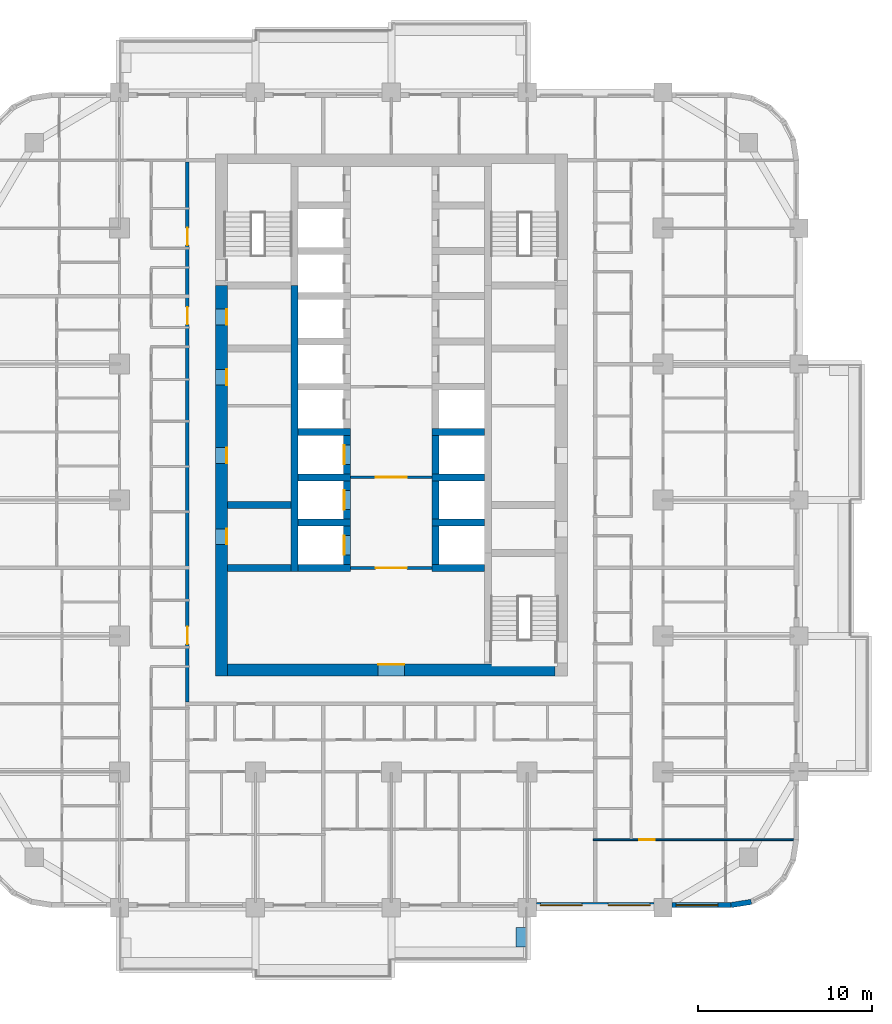
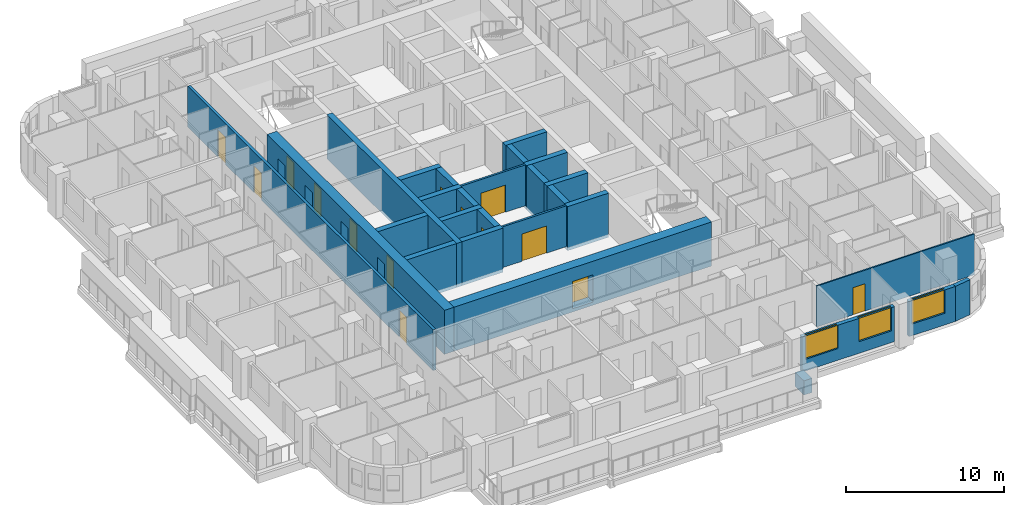
# One storey, part 6 of 17: 27 walls, 14 doors, 3 windows, 17 openings.
"""IFC4 building model written with IfcOpenShell, lengths in metres."""

from ifc_helpers import new_model, si_unit, direction, frame, frame_2d, origin, place, context, subcontext, project, spatial, rectangle, extrude, material, layer, layer_set, type_object, element, fill, save


model = new_model("IFC4")

# Units and contexts
model_context = context("Model", 3, precision=1e-05, world=origin(), true_north=direction((0.0, 1.0)))
body_context = subcontext(model_context, "Body", "Model", "MODEL_VIEW")
ifc_project = project(units=[si_unit("LENGTHUNIT", "METRE"), si_unit("AREAUNIT", "SQUARE_METRE"), si_unit("VOLUMEUNIT", "CUBIC_METRE"), si_unit("PLANEANGLEUNIT", "RADIAN"), si_unit("MASSUNIT", "GRAM", prefix="KILO")], contexts=[model_context])

# Site, building, storey
site_placement = place(None, origin())
site = spatial("IfcSite", under=ifc_project, at=site_placement, CompositionType="ELEMENT")
building_placement = place(site_placement, origin())
building = spatial("IfcBuilding", under=site, at=building_placement, Name="Ludao Terraces", CompositionType="ELEMENT")
storey_placement = place(building_placement, frame((0.0, 0.0, 54.60009765625)))
storey = spatial("IfcBuildingStorey", under=building, at=storey_placement, Name="L14", CompositionType="ELEMENT", Elevation=54.60009765625)

# Wall, openings, doors
ifc_material_1 = material(Name="Concrete C70", Category="concrete")
ifc_layer_1 = layer(ifc_material_1, 0.699951171875)
ifc_layer_set_1 = layer_set([ifc_layer_1], Name="Core wall 700 C70")
wall_type_1 = type_object("IfcWallType", Name="Core wall 700 C70", PredefinedType="SOLIDWALL", material=ifc_layer_set_1)
wall_1_placement = place(storey_placement, frame((75.25, 54.89990234375, -0.25), z_axis=(0.0, 0.0, 1.0), x_axis=(0.0, 1.0, 0.0)))
wall_1 = element("IfcWall", 1, at=wall_1_placement, inside=storey, type_object=wall_type_1, Name="Core wall L14 outer-W", PredefinedType="SOLIDWALL", context=body_context, shape_type="SweptSolid", body=[
    extrude(rectangle(XDim=22.400146484375, YDim=0.699951171875, at=frame_2d((11.2001953125, 0.0))), origin(), (0.0, 0.0, 1.0), 3.39990234375),
])
opening_1_placement = place(wall_1_placement, frame((7.550048828125, 0.0, 0.25)))
opening_1 = element("IfcOpeningElement", 2, at=opening_1_placement, cuts=wall_1, Name="Opening R04-076", PredefinedType="OPENING", context=body_context, shape_type="SweptSolid", body=[
    extrude(rectangle(XDim=0.89990234375, YDim=2.10009765625, at=frame_2d((0.449951171875, 1.050048828125))), frame((0.0, 0.35986328125, 0.0), z_axis=(0.0, -1.0, 0.0), x_axis=(1.0, 0.0, 0.0)), (0.0, 0.0, 1.0), 0.719970703125),
])
opening_2_placement = place(wall_1_placement, frame((12.199951171875, 0.0, 0.25)))
opening_2 = element("IfcOpeningElement", 3, at=opening_2_placement, cuts=wall_1, Name="Opening R04-090", PredefinedType="OPENING", context=body_context, shape_type="SweptSolid", body=[
    extrude(rectangle(XDim=0.89990234375, YDim=2.10009765625, at=frame_2d((0.449951171875, 1.050048828125))), frame((0.0, 0.35986328125, 0.0), z_axis=(0.0, -1.0, 0.0), x_axis=(1.0, 0.0, 0.0)), (0.0, 0.0, 1.0), 0.719970703125),
])
opening_3_placement = place(wall_1_placement, frame((16.699951171875, 0.0, 0.25)))
opening_3 = element("IfcOpeningElement", 4, at=opening_3_placement, cuts=wall_1, Name="Opening R04-107", PredefinedType="OPENING", context=body_context, shape_type="SweptSolid", body=[
    extrude(rectangle(XDim=0.89990234375, YDim=2.10009765625, at=frame_2d((0.449951171875, 1.050048828125))), frame((0.0, 0.35986328125, 0.0), z_axis=(0.0, -1.0, 0.0), x_axis=(1.0, 0.0, 0.0)), (0.0, 0.0, 1.0), 0.719970703125),
])
opening_4_placement = place(wall_1_placement, frame((20.14990234375, 0.0, 0.25)))
opening_4 = element("IfcOpeningElement", 5, at=opening_4_placement, cuts=wall_1, Name="Opening R04-117", PredefinedType="OPENING", context=body_context, shape_type="SweptSolid", body=[
    extrude(rectangle(XDim=0.89990234375, YDim=2.10009765625, at=frame_2d((0.449951171875, 1.050048828125))), frame((0.0, 0.35986328125, 0.0), z_axis=(0.0, -1.0, 0.0), x_axis=(1.0, 0.0, 0.0)), (0.0, 0.0, 1.0), 0.719970703125),
])
ifc_material_2 = material(Name="Steel Q235", Category="steel")
door_type_1 = type_object("IfcDoorType", Name="INT Riser door 900", OperationType="SINGLE_SWING_LEFT", PredefinedType="DOOR", material=ifc_material_2)
door_1_placement = place(opening_1_placement, origin())
door_1 = element("IfcDoor", 6, at=door_1_placement, inside=storey, type_object=door_type_1, Name="DOOR 076", OperationType="SINGLE_SWING_LEFT", OverallHeight=2.10009765625, OverallWidth=0.89990234375, PredefinedType="DOOR", context=body_context, shape_type="SweptSolid", body=[
    extrude(rectangle(XDim=0.89990234375, YDim=2.10009765625, at=frame_2d((0.449951171875, 1.050048828125))), frame((0.0, -0.28515625, 0.0), z_axis=(0.0, -1.0, 0.0), x_axis=(1.0, 0.0, 0.0)), (0.0, 0.0, 1.0), 0.050048828125),
])
fill(opening_1, door_1)
door_2_placement = place(opening_4_placement, origin())
door_2 = element("IfcDoor", 7, at=door_2_placement, inside=storey, type_object=door_type_1, Name="DOOR 117", OperationType="SINGLE_SWING_RIGHT", OverallHeight=2.10009765625, OverallWidth=0.89990234375, PredefinedType="DOOR", context=body_context, shape_type="SweptSolid", body=[
    extrude(rectangle(XDim=0.89990234375, YDim=2.10009765625, at=frame_2d((0.449951171875, 1.050048828125))), frame((0.0, -0.28515625, 0.0), z_axis=(0.0, -1.0, 0.0), x_axis=(1.0, 0.0, 0.0)), (0.0, 0.0, 1.0), 0.050048828125),
])
fill(opening_4, door_2)
ifc_material_3 = material(Name="Timber door leaf", Category="wood")
door_type_2 = type_object("IfcDoorType", Name="INT Room door 900", OperationType="SINGLE_SWING_LEFT", PredefinedType="DOOR", material=ifc_material_3)
door_3_placement = place(opening_2_placement, origin())
door_3 = element("IfcDoor", 8, at=door_3_placement, inside=storey, type_object=door_type_2, Name="DOOR 090", OperationType="SINGLE_SWING_RIGHT", OverallHeight=2.10009765625, OverallWidth=0.89990234375, PredefinedType="DOOR", context=body_context, shape_type="SweptSolid", body=[
    extrude(rectangle(XDim=0.89990234375, YDim=2.10009765625, at=frame_2d((0.449951171875, 1.050048828125))), frame((0.0, -0.28515625, 0.0), z_axis=(0.0, -1.0, 0.0), x_axis=(1.0, 0.0, 0.0)), (0.0, 0.0, 1.0), 0.050048828125),
])
fill(opening_2, door_3)
door_4_placement = place(opening_3_placement, origin())
door_4 = element("IfcDoor", 9, at=door_4_placement, inside=storey, type_object=door_type_2, Name="DOOR 107", OperationType="SINGLE_SWING_LEFT", OverallHeight=2.10009765625, OverallWidth=0.89990234375, PredefinedType="DOOR", context=body_context, shape_type="SweptSolid", body=[
    extrude(rectangle(XDim=0.89990234375, YDim=2.10009765625, at=frame_2d((0.449951171875, 1.050048828125))), frame((0.0, -0.28515625, 0.0), z_axis=(0.0, -1.0, 0.0), x_axis=(1.0, 0.0, 0.0)), (0.0, 0.0, 1.0), 0.050048828125),
])
fill(opening_3, door_4)

# Wall, opening, door
wall_2_placement = place(storey_placement, frame((75.60009765625, 55.25, -0.25), z_axis=(0.0, 0.0, 1.0), x_axis=(1.0, 0.0, 0.0)))
wall_2 = element("IfcWall", 10, at=wall_2_placement, inside=storey, type_object=wall_type_1, Name="Core wall L14 outer-S", PredefinedType="SOLIDWALL", context=body_context, shape_type="SweptSolid", body=[
    extrude(rectangle(XDim=18.7998046875, YDim=0.699951171875, at=frame_2d((9.39990234375, 0.0))), origin(), (0.0, 0.0, 1.0), 3.39990234375),
])
opening_5_placement = place(wall_2_placement, frame((8.64990234375, 0.0, 0.25)))
opening_5 = element("IfcOpeningElement", 11, at=opening_5_placement, cuts=wall_2, Name="Opening R04-055", PredefinedType="OPENING", context=body_context, shape_type="SweptSolid", body=[
    extrude(rectangle(XDim=1.5, YDim=2.10009765625, at=frame_2d((0.75, 1.050048828125))), frame((0.0, 0.35986328125, 0.0), z_axis=(0.0, -1.0, 0.0), x_axis=(1.0, 0.0, 0.0)), (0.0, 0.0, 1.0), 0.719970703125),
])
door_type_3 = type_object("IfcDoorType", Name="INT Lobby door 1500", OperationType="DOUBLE_DOOR_SINGLE_SWING", PredefinedType="DOOR", material=ifc_material_2)
door_5_placement = place(opening_5_placement, origin())
door_5 = element("IfcDoor", 12, at=door_5_placement, inside=storey, type_object=door_type_3, Name="DOOR 055", OperationType="DOUBLE_DOOR_SINGLE_SWING", OverallHeight=2.10009765625, OverallWidth=1.5, PredefinedType="DOOR", context=body_context, shape_type="SweptSolid", body=[
    extrude(rectangle(XDim=1.5, YDim=2.10009765625, at=frame_2d((0.75, 1.050048828125))), frame((0.0, 0.3349609375, 0.0), z_axis=(0.0, -1.0, 0.0), x_axis=(1.0, 0.0, 0.0)), (0.0, 0.0, 1.0), 0.050048828125),
])
fill(opening_5, door_5)

# Wall
ifc_material_4 = material(Name="Concrete C40", Category="concrete")
ifc_layer_2 = layer(ifc_material_4, 0.60009765625)
ifc_layer_set_2 = layer_set([ifc_layer_2], Name="ENV Planter trough 600")
wall_type_2 = type_object("IfcWallType", Name="ENV Planter trough 600", PredefinedType="USERDEFINED", material=ifc_layer_set_2)
wall_3_placement = place(storey_placement, frame((92.449951171875, 39.35009765625, 0.0), z_axis=(0.0, 0.0, 1.0), x_axis=(0.0, 1.0, 0.0)))
element("IfcWall", 13, at=wall_3_placement, inside=storey, type_object=wall_type_2, Name="PL-L14-S3-SB", ObjectType="PLANTER", PredefinedType="USERDEFINED", context=body_context, shape_type="SweptSolid", body=[
    extrude(rectangle(XDim=1.099853515625, YDim=0.60009765625, at=frame_2d((0.5498046875, 0.0))), origin(), (0.0, 0.0, 1.0), 1.099853515625),
])

# Wall, openings, windows
ifc_material_5 = material(Name="Granite cladding", Category="masonry")
ifc_layer_3 = layer(ifc_material_5, 0.0400390625, Category="stone")
ifc_material_6 = material(Name="Mineral wool")
ifc_layer_4 = layer(ifc_material_6, 0.06005859375)
ifc_layer_5 = layer(ifc_material_4, 0.199951171875, Category="concrete")
ifc_layer_set_3 = layer_set([ifc_layer_3, ifc_layer_4, ifc_layer_5], Name="ENV Stone-clad wall 300")
wall_type_3 = type_object("IfcWallType", Name="ENV Stone-clad wall 300", PredefinedType="SOLIDWALL", material=ifc_layer_set_3)
wall_4_placement = place(storey_placement, frame((93.324951171875, 41.75, 0.0), z_axis=(0.0, 0.0, 1.0), x_axis=(1.0, 0.0, 0.0)))
wall_4 = element("IfcWall", 14, at=wall_4_placement, inside=storey, type_object=wall_type_3, Name="EW-L14-S5", PredefinedType="SOLIDWALL", context=body_context, shape_type="SweptSolid", body=[
    extrude(rectangle(XDim=6.75, YDim=0.300048828125, at=frame_2d((3.375, 0.0))), origin(), (0.0, 0.0, 1.0), 2.699951171875),
])
opening_6_placement = place(wall_4_placement, frame((0.22509765625, 0.0, 0.89990234375)))
opening_6 = element("IfcOpeningElement", 15, at=opening_6_placement, cuts=wall_4, Name="Opening W1", PredefinedType="OPENING", context=body_context, shape_type="SweptSolid", body=[
    extrude(rectangle(XDim=2.39990234375, YDim=1.800048828125, at=frame_2d((1.199951171875, 0.89990234375))), frame((0.0, 0.16015625, 0.0), z_axis=(0.0, -1.0, 0.0), x_axis=(1.0, 0.0, 0.0)), (0.0, 0.0, 1.0), 0.320068359375),
])
opening_7_placement = place(wall_4_placement, frame((4.125, 0.0, 0.89990234375)))
opening_7 = element("IfcOpeningElement", 16, at=opening_7_placement, cuts=wall_4, Name="Opening W1", PredefinedType="OPENING", context=body_context, shape_type="SweptSolid", body=[
    extrude(rectangle(XDim=2.39990234375, YDim=1.800048828125, at=frame_2d((1.199951171875, 0.89990234375))), frame((0.0, 0.16015625, 0.0), z_axis=(0.0, -1.0, 0.0), x_axis=(1.0, 0.0, 0.0)), (0.0, 0.0, 1.0), 0.320068359375),
])
ifc_material_7 = material(Name="Clear glass in aluminium frame", Category="aluminium")
ifc_layer_6 = layer(ifc_material_7, 0.06005859375)
ifc_layer_set_4 = layer_set([ifc_layer_6], Name="ENV Window W1 2400x1800")
window_type = type_object("IfcWindowType", Name="ENV Window W1 2400x1800", PartitioningType="DOUBLE_PANEL_VERTICAL", PredefinedType="WINDOW", material=ifc_layer_set_4)
window_1_placement = place(opening_6_placement, origin())
window_1 = element("IfcWindow", 17, at=window_1_placement, inside=storey, type_object=window_type, Name="W-L14-S5-1", OverallHeight=1.800048828125, OverallWidth=2.39990234375, PartitioningType="DOUBLE_PANEL_VERTICAL", PredefinedType="WINDOW", context=body_context, shape_type="SweptSolid", body=[
    extrude(rectangle(XDim=2.39990234375, YDim=1.800048828125, at=frame_2d((1.199951171875, 0.89990234375))), frame((0.0, 0.030029296875, 0.0), z_axis=(0.0, -1.0, 0.0), x_axis=(1.0, 0.0, 0.0)), (0.0, 0.0, 1.0), 0.06005859375),
])
fill(opening_6, window_1)
window_2_placement = place(opening_7_placement, origin())
window_2 = element("IfcWindow", 18, at=window_2_placement, inside=storey, type_object=window_type, Name="W-L14-S5-2", OverallHeight=1.800048828125, OverallWidth=2.39990234375, PartitioningType="DOUBLE_PANEL_VERTICAL", PredefinedType="WINDOW", context=body_context, shape_type="SweptSolid", body=[
    extrude(rectangle(XDim=2.39990234375, YDim=1.800048828125, at=frame_2d((1.199951171875, 0.89990234375))), frame((0.0, 0.030029296875, 0.0), z_axis=(0.0, -1.0, 0.0), x_axis=(1.0, 0.0, 0.0)), (0.0, 0.0, 1.0), 0.06005859375),
])
fill(opening_7, window_2)

# Wall, opening, window
wall_5_placement = place(storey_placement, frame((101.125, 41.75, 0.0), z_axis=(0.0, 0.0, 1.0), x_axis=(1.0, 0.0, 0.0)))
wall_5 = element("IfcWall", 19, at=wall_5_placement, inside=storey, type_object=wall_type_3, Name="EW-L14-S6", PredefinedType="SOLIDWALL", context=body_context, shape_type="SweptSolid", body=[
    extrude(rectangle(XDim=3.375, YDim=0.300048828125, at=frame_2d((1.6875, 0.0))), origin(), (0.0, 0.0, 1.0), 2.699951171875),
])
opening_8_placement = place(wall_5_placement, frame((0.22509765625, 0.0, 0.89990234375)))
opening_8 = element("IfcOpeningElement", 20, at=opening_8_placement, cuts=wall_5, Name="Opening W1", PredefinedType="OPENING", context=body_context, shape_type="SweptSolid", body=[
    extrude(rectangle(XDim=2.39990234375, YDim=1.800048828125, at=frame_2d((1.199951171875, 0.89990234375))), frame((0.0, 0.16015625, 0.0), z_axis=(0.0, -1.0, 0.0), x_axis=(1.0, 0.0, 0.0)), (0.0, 0.0, 1.0), 0.320068359375),
])
window_3_placement = place(opening_8_placement, origin())
window_3 = element("IfcWindow", 21, at=window_3_placement, inside=storey, type_object=window_type, Name="W-L14-S6-1", OverallHeight=1.800048828125, OverallWidth=2.39990234375, PartitioningType="DOUBLE_PANEL_VERTICAL", PredefinedType="WINDOW", context=body_context, shape_type="SweptSolid", body=[
    extrude(rectangle(XDim=2.39990234375, YDim=1.800048828125, at=frame_2d((1.199951171875, 0.89990234375))), frame((0.0, 0.030029296875, 0.0), z_axis=(0.0, -1.0, 0.0), x_axis=(1.0, 0.0, 0.0)), (0.0, 0.0, 1.0), 0.06005859375),
])
fill(opening_8, window_3)

# Wall
wall_6_placement = place(storey_placement, frame((104.5, 41.75, 0.0), z_axis=(0.0, 0.0, 1.0), x_axis=(0.987678452879, 0.156496880861, 0.0)))
element("IfcWall", 22, at=wall_6_placement, inside=storey, type_object=wall_type_3, Name="EW-L14-SE1", PredefinedType="SOLIDWALL", context=body_context, shape_type="SweptSolid", body=[
    extrude(rectangle(XDim=1.173095703125, YDim=0.300048828125, at=frame_2d((0.58642578125, 0.0))), origin(), (0.0, 0.0, 1.0), 2.699951171875),
])

# Wall, opening, door
ifc_material_8 = material(Name="Fire-rated gypsum plasterboard", Category="gypsum")
ifc_layer_7 = layer(ifc_material_8, 0.012451171875, Category="gypsum")
ifc_layer_8 = layer(ifc_material_6, 0.10009765625, Name="insulation")
ifc_layer_9 = layer(ifc_material_2, 0.02490234375, Name="stud")
ifc_layer_10 = layer(ifc_material_8, 0.012451171875, Category="gypsum")
ifc_layer_set_5 = layer_set([ifc_layer_7, ifc_layer_8, ifc_layer_9, ifc_layer_10], Name="INT Core partition 150")
wall_type_4 = type_object("IfcWallType", Name="INT Core partition 150", PredefinedType="PARTITIONING", material=ifc_layer_set_5)
wall_7_placement = place(storey_placement, frame((82.650146484375, 61.10009765625, 0.0), z_axis=(0.0, 0.0, 1.0), x_axis=(1.0, 0.0, 0.0)))
wall_7 = element("IfcWall", 23, at=wall_7_placement, inside=storey, type_object=wall_type_4, Name="PW-L14-PW034", PredefinedType="PARTITIONING", context=body_context, shape_type="SweptSolid", body=[
    extrude(rectangle(XDim=4.699951171875, YDim=0.14990234375, at=frame_2d((2.35009765625, 0.0))), origin(), (0.0, 0.0, 1.0), 3.14990234375),
])
opening_9_placement = place(wall_7_placement, frame((1.449951171875, 0.0, 0.0)))
opening_9 = element("IfcOpeningElement", 24, at=opening_9_placement, cuts=wall_7, Name="Opening R04-072", PredefinedType="OPENING", context=body_context, shape_type="SweptSolid", body=[
    extrude(rectangle(XDim=1.800048828125, YDim=2.10009765625, at=frame_2d((0.89990234375, 1.050048828125))), frame((0.0, 0.0849609375, 0.0), z_axis=(0.0, -1.0, 0.0), x_axis=(1.0, 0.0, 0.0)), (0.0, 0.0, 1.0), 0.169921875),
])
door_type_4 = type_object("IfcDoorType", Name="INT Fire lobby door 1800", OperationType="DOUBLE_DOOR_SINGLE_SWING", PredefinedType="DOOR", material=ifc_material_2)
door_6_placement = place(opening_9_placement, origin())
door_6 = element("IfcDoor", 25, at=door_6_placement, inside=storey, type_object=door_type_4, Name="DOOR 072", OperationType="DOUBLE_DOOR_SINGLE_SWING", OverallHeight=2.10009765625, OverallWidth=1.800048828125, PredefinedType="DOOR", context=body_context, shape_type="SweptSolid", body=[
    extrude(rectangle(XDim=1.800048828125, YDim=2.10009765625, at=frame_2d((0.89990234375, 1.050048828125))), frame((0.0, 0.02490234375, 0.0), z_axis=(0.0, -1.0, 0.0), x_axis=(1.0, 0.0, 0.0)), (0.0, 0.0, 1.0), 0.050048828125),
])
fill(opening_9, door_6)

wall_8_placement = place(storey_placement, frame((82.650146484375, 66.300048828125, 0.0), z_axis=(0.0, 0.0, 1.0), x_axis=(1.0, 0.0, 0.0)))
wall_8 = element("IfcWall", 26, at=wall_8_placement, inside=storey, type_object=wall_type_4, Name="PW-L14-PW041", PredefinedType="PARTITIONING", context=body_context, shape_type="SweptSolid", body=[
    extrude(rectangle(XDim=4.699951171875, YDim=0.14990234375, at=frame_2d((2.35009765625, 0.0))), origin(), (0.0, 0.0, 1.0), 3.14990234375),
])
opening_10_placement = place(wall_8_placement, frame((1.449951171875, 0.0, 0.0)))
opening_10 = element("IfcOpeningElement", 27, at=opening_10_placement, cuts=wall_8, Name="Opening R04-087", PredefinedType="OPENING", context=body_context, shape_type="SweptSolid", body=[
    extrude(rectangle(XDim=1.800048828125, YDim=2.10009765625, at=frame_2d((0.89990234375, 1.050048828125))), frame((0.0, 0.0849609375, 0.0), z_axis=(0.0, -1.0, 0.0), x_axis=(1.0, 0.0, 0.0)), (0.0, 0.0, 1.0), 0.169921875),
])
door_7_placement = place(opening_10_placement, origin())
door_7 = element("IfcDoor", 28, at=door_7_placement, inside=storey, type_object=door_type_4, Name="DOOR 087", OperationType="DOUBLE_DOOR_SINGLE_SWING", OverallHeight=2.10009765625, OverallWidth=1.800048828125, PredefinedType="DOOR", context=body_context, shape_type="SweptSolid", body=[
    extrude(rectangle(XDim=1.800048828125, YDim=2.10009765625, at=frame_2d((0.89990234375, 1.050048828125))), frame((0.0, 0.02490234375, 0.0), z_axis=(0.0, -1.0, 0.0), x_axis=(1.0, 0.0, 0.0)), (0.0, 0.0, 1.0), 0.050048828125),
])
fill(opening_10, door_7)

# Wall, openings, doors
ifc_material_9 = material(Name="Autoclaved aerated concrete block B06 A3.5", Category="concrete")
ifc_layer_11 = layer(ifc_material_9, 0.199951171875)
ifc_layer_set_6 = layer_set([ifc_layer_11], Name="INT Entrance wall 200")
wall_type_5 = type_object("IfcWallType", Name="INT Entrance wall 200", PredefinedType="PARTITIONING", material=ifc_layer_set_6)
wall_9_placement = place(storey_placement, frame((73.300048828125, 53.400146484375, 0.0), z_axis=(0.0, 0.0, 1.0), x_axis=(0.0, 1.0, 0.0)))
wall_9 = element("IfcWall", 29, at=wall_9_placement, inside=storey, type_object=wall_type_5, Name="PW-L14-PW089", PredefinedType="PARTITIONING", context=body_context, shape_type="SweptSolid", body=[
    extrude(rectangle(XDim=31.0, YDim=0.199951171875, at=frame_2d((15.5, 0.0))), origin(), (0.0, 0.0, 1.0), 3.14990234375),
])
opening_11_placement = place(wall_9_placement, frame((3.324951171875, 0.0, 0.0)))
opening_11 = element("IfcOpeningElement", 30, at=opening_11_placement, cuts=wall_9, Name="Opening R04-060", PredefinedType="OPENING", context=body_context, shape_type="SweptSolid", body=[
    extrude(rectangle(XDim=1.0, YDim=2.10009765625, at=frame_2d((0.5, 1.050048828125))), frame((0.0, 0.10986328125, 0.0), z_axis=(0.0, -1.0, 0.0), x_axis=(1.0, 0.0, 0.0)), (0.0, 0.0, 1.0), 0.219970703125),
])
opening_12_placement = place(wall_9_placement, frame((21.675048828125, 0.0, 0.0)))
opening_12 = element("IfcOpeningElement", 31, at=opening_12_placement, cuts=wall_9, Name="Opening R04-119", PredefinedType="OPENING", context=body_context, shape_type="SweptSolid", body=[
    extrude(rectangle(XDim=1.0, YDim=2.10009765625, at=frame_2d((0.5, 1.050048828125))), frame((0.0, 0.10986328125, 0.0), z_axis=(0.0, -1.0, 0.0), x_axis=(1.0, 0.0, 0.0)), (0.0, 0.0, 1.0), 0.219970703125),
])
opening_13_placement = place(wall_9_placement, frame((26.22509765625, 0.0, 0.0)))
opening_13 = element("IfcOpeningElement", 32, at=opening_13_placement, cuts=wall_9, Name="Opening R04-139", PredefinedType="OPENING", context=body_context, shape_type="SweptSolid", body=[
    extrude(rectangle(XDim=1.0, YDim=2.10009765625, at=frame_2d((0.5, 1.050048828125))), frame((0.0, 0.10986328125, 0.0), z_axis=(0.0, -1.0, 0.0), x_axis=(1.0, 0.0, 0.0)), (0.0, 0.0, 1.0), 0.219970703125),
])
door_type_5 = type_object("IfcDoorType", Name="INT Flat entrance door 1000", OperationType="SINGLE_SWING_LEFT", PredefinedType="DOOR", material=ifc_material_2)
door_8_placement = place(opening_11_placement, origin())
door_8 = element("IfcDoor", 33, at=door_8_placement, inside=storey, type_object=door_type_5, Name="DOOR 060", OperationType="SINGLE_SWING_RIGHT", OverallHeight=2.10009765625, OverallWidth=1.0, PredefinedType="DOOR", context=body_context, shape_type="SweptSolid", body=[
    extrude(rectangle(XDim=1.0, YDim=2.10009765625, at=frame_2d((0.5, 1.050048828125))), frame((0.0, 0.02490234375, 0.0), z_axis=(0.0, -1.0, 0.0), x_axis=(1.0, 0.0, 0.0)), (0.0, 0.0, 1.0), 0.050048828125),
])
fill(opening_11, door_8)
door_9_placement = place(opening_12_placement, origin())
door_9 = element("IfcDoor", 34, at=door_9_placement, inside=storey, type_object=door_type_5, Name="DOOR 119", OperationType="SINGLE_SWING_RIGHT", OverallHeight=2.10009765625, OverallWidth=1.0, PredefinedType="DOOR", context=body_context, shape_type="SweptSolid", body=[
    extrude(rectangle(XDim=1.0, YDim=2.10009765625, at=frame_2d((0.5, 1.050048828125))), frame((0.0, 0.02490234375, 0.0), z_axis=(0.0, -1.0, 0.0), x_axis=(1.0, 0.0, 0.0)), (0.0, 0.0, 1.0), 0.050048828125),
])
fill(opening_12, door_9)
door_10_placement = place(opening_13_placement, origin())
door_10 = element("IfcDoor", 35, at=door_10_placement, inside=storey, type_object=door_type_5, Name="DOOR 139", OperationType="SINGLE_SWING_RIGHT", OverallHeight=2.10009765625, OverallWidth=1.0, PredefinedType="DOOR", context=body_context, shape_type="SweptSolid", body=[
    extrude(rectangle(XDim=1.0, YDim=2.10009765625, at=frame_2d((0.5, 1.050048828125))), frame((0.0, 0.02490234375, 0.0), z_axis=(0.0, -1.0, 0.0), x_axis=(1.0, 0.0, 0.0)), (0.0, 0.0, 1.0), 0.050048828125),
])
fill(opening_13, door_10)

# Wall, opening, door
ifc_material_10 = material(Name="Gypsum plasterboard", Category="gypsum")
ifc_layer_12 = layer(ifc_material_10, 0.012451171875, Category="gypsum")
ifc_layer_13 = layer(ifc_material_6, 0.06005859375, Name="insulation")
ifc_layer_14 = layer(ifc_material_2, 0.014892578125, Name="stud")
ifc_layer_15 = layer(ifc_material_10, 0.012451171875, Category="gypsum")
ifc_layer_set_7 = layer_set([ifc_layer_12, ifc_layer_13, ifc_layer_14, ifc_layer_15], Name="INT Partition 100")
wall_type_6 = type_object("IfcWallType", Name="INT Partition 100", PredefinedType="PARTITIONING", material=ifc_layer_set_7)
wall_10_placement = place(storey_placement, frame((96.60009765625, 45.5, 0.0), z_axis=(0.0, 0.0, 1.0), x_axis=(1.0, 0.0, 0.0)))
wall_10 = element("IfcWall", 36, at=wall_10_placement, inside=storey, type_object=wall_type_6, Name="PW-L14-PW001", PredefinedType="PARTITIONING", context=body_context, shape_type="SweptSolid", body=[
    extrude(rectangle(XDim=11.5, YDim=0.10009765625, at=frame_2d((5.75, 0.0))), origin(), (0.0, 0.0, 1.0), 3.14990234375),
])
opening_14_placement = place(wall_10_placement, frame((2.635009765625, 0.0, 0.0)))
opening_14 = element("IfcOpeningElement", 37, at=opening_14_placement, cuts=wall_10, Name="Opening R04-006", PredefinedType="OPENING", context=body_context, shape_type="SweptSolid", body=[
    extrude(rectangle(XDim=0.89990234375, YDim=2.10009765625, at=frame_2d((0.449951171875, 1.050048828125))), frame((0.0, 0.06005859375, 0.0), z_axis=(0.0, -1.0, 0.0), x_axis=(1.0, 0.0, 0.0)), (0.0, 0.0, 1.0), 0.1201171875),
])
door_11_placement = place(opening_14_placement, origin())
door_11 = element("IfcDoor", 38, at=door_11_placement, inside=storey, type_object=door_type_2, Name="DOOR 006", OperationType="SINGLE_SWING_LEFT", OverallHeight=2.10009765625, OverallWidth=0.89990234375, PredefinedType="DOOR", context=body_context, shape_type="SweptSolid", body=[
    extrude(rectangle(XDim=0.89990234375, YDim=2.10009765625, at=frame_2d((0.449951171875, 1.050048828125))), frame((0.0, 0.02490234375, 0.0), z_axis=(0.0, -1.0, 0.0), x_axis=(1.0, 0.0, 0.0)), (0.0, 0.0, 1.0), 0.050048828125),
])
fill(opening_14, door_11)

# Walls
ifc_material_11 = material(Name="Concrete C60", Category="concrete")
ifc_layer_16 = layer(ifc_material_11, 0.39990234375)
ifc_layer_set_8 = layer_set([ifc_layer_16], Name="Shaft wall 400 C60")
wall_type_7 = type_object("IfcWallType", Name="Shaft wall 400 C60", PredefinedType="SOLIDWALL", material=ifc_layer_set_8)
wall_11_placement = place(storey_placement, frame((79.449951171875, 60.89990234375, -0.25), z_axis=(0.0, 0.0, 1.0), x_axis=(0.0, 1.0, 0.0)))
element("IfcWall", 39, at=wall_11_placement, inside=storey, type_object=wall_type_7, Name="Core wall L14 back-W", PredefinedType="SOLIDWALL", context=body_context, shape_type="SweptSolid", body=[
    extrude(rectangle(XDim=16.400146484375, YDim=0.39990234375, at=frame_2d((8.2001953125, 0.0))), origin(), (0.0, 0.0, 1.0), 3.39990234375),
])
wall_12_placement = place(storey_placement, frame((79.64990234375, 61.10009765625, -0.25), z_axis=(0.0, 0.0, 1.0), x_axis=(1.0, 0.0, 0.0)))
element("IfcWall", 40, at=wall_12_placement, inside=storey, type_object=wall_type_7, Name="Core wall L14 div-W1", PredefinedType="SOLIDWALL", context=body_context, shape_type="SweptSolid", body=[
    extrude(rectangle(XDim=3.0, YDim=0.39990234375, at=frame_2d((1.5, 0.0))), origin(), (0.0, 0.0, 1.0), 3.39990234375),
])

# Wall, opening, door
wall_13_placement = place(storey_placement, frame((82.449951171875, 61.300048828125, -0.25), z_axis=(0.0, 0.0, 1.0), x_axis=(0.0, 1.0, 0.0)))
wall_13 = element("IfcWall", 41, at=wall_13_placement, inside=storey, type_object=wall_type_7, Name="Core wall L14 front-W1", PredefinedType="SOLIDWALL", context=body_context, shape_type="SweptSolid", body=[
    extrude(rectangle(XDim=2.199951171875, YDim=0.39990234375, at=frame_2d((1.10009765625, 0.0))), origin(), (0.0, 0.0, 1.0), 3.39990234375),
])
opening_15_placement = place(wall_13_placement, frame((0.550048828125, 0.0, 0.25)))
opening_15 = element("IfcOpeningElement", 42, at=opening_15_placement, cuts=wall_13, Name="Opening LD-LA1", PredefinedType="OPENING", context=body_context, shape_type="SweptSolid", body=[
    extrude(rectangle(XDim=1.10009765625, YDim=2.10009765625, at=frame_2d((0.550048828125, 1.050048828125))), frame((0.0, 0.2099609375, 0.0), z_axis=(0.0, -1.0, 0.0), x_axis=(1.0, 0.0, 0.0)), (0.0, 0.0, 1.0), 0.419921875),
])
ifc_material_12 = material(Name="Stainless steel 304", Category="steel")
door_type_6 = type_object("IfcDoorType", Name="INT Lift landing door 1100", OperationType="SLIDING_TO_LEFT", PredefinedType="DOOR", material=ifc_material_12)
door_12_placement = place(opening_15_placement, origin())
door_12 = element("IfcDoor", 43, at=door_12_placement, inside=storey, type_object=door_type_6, Name="LANDING DOOR LA1 L14", OperationType="SLIDING_TO_RIGHT", OverallHeight=2.10009765625, OverallWidth=1.10009765625, PredefinedType="DOOR", context=body_context, shape_type="SweptSolid", body=[
    extrude(rectangle(XDim=1.10009765625, YDim=2.10009765625, at=frame_2d((0.550048828125, 1.050048828125))), frame((0.0, 0.18505859375, 0.0), z_axis=(0.0, -1.0, 0.0), x_axis=(1.0, 0.0, 0.0)), (0.0, 0.0, 1.0), 0.050048828125),
])
fill(opening_15, door_12)

# Wall
wall_14_placement = place(storey_placement, frame((79.64990234375, 63.699951171875, -0.25), z_axis=(0.0, 0.0, 1.0), x_axis=(1.0, 0.0, 0.0)))
element("IfcWall", 44, at=wall_14_placement, inside=storey, type_object=wall_type_7, Name="Core wall L14 div-W2", PredefinedType="SOLIDWALL", context=body_context, shape_type="SweptSolid", body=[
    extrude(rectangle(XDim=3.0, YDim=0.39990234375, at=frame_2d((1.5, 0.0))), origin(), (0.0, 0.0, 1.0), 3.39990234375),
])

# Wall, opening, door
wall_15_placement = place(storey_placement, frame((82.449951171875, 63.89990234375, -0.25), z_axis=(0.0, 0.0, 1.0), x_axis=(0.0, 1.0, 0.0)))
wall_15 = element("IfcWall", 45, at=wall_15_placement, inside=storey, type_object=wall_type_7, Name="Core wall L14 front-W2", PredefinedType="SOLIDWALL", context=body_context, shape_type="SweptSolid", body=[
    extrude(rectangle(XDim=2.2001953125, YDim=0.39990234375, at=frame_2d((1.10009765625, 0.0))), origin(), (0.0, 0.0, 1.0), 3.39990234375),
])
opening_16_placement = place(wall_15_placement, frame((0.550048828125, 0.0, 0.25)))
opening_16 = element("IfcOpeningElement", 46, at=opening_16_placement, cuts=wall_15, Name="Opening LD-LA2", PredefinedType="OPENING", context=body_context, shape_type="SweptSolid", body=[
    extrude(rectangle(XDim=1.10009765625, YDim=2.10009765625, at=frame_2d((0.550048828125, 1.050048828125))), frame((0.0, 0.2099609375, 0.0), z_axis=(0.0, -1.0, 0.0), x_axis=(1.0, 0.0, 0.0)), (0.0, 0.0, 1.0), 0.419921875),
])
door_13_placement = place(opening_16_placement, origin())
door_13 = element("IfcDoor", 47, at=door_13_placement, inside=storey, type_object=door_type_6, Name="LANDING DOOR LA2 L14", OperationType="SLIDING_TO_RIGHT", OverallHeight=2.10009765625, OverallWidth=1.10009765625, PredefinedType="DOOR", context=body_context, shape_type="SweptSolid", body=[
    extrude(rectangle(XDim=1.10009765625, YDim=2.10009765625, at=frame_2d((0.550048828125, 1.050048828125))), frame((0.0, 0.18505859375, 0.0), z_axis=(0.0, -1.0, 0.0), x_axis=(1.0, 0.0, 0.0)), (0.0, 0.0, 1.0), 0.050048828125),
])
fill(opening_16, door_13)

# Wall
wall_16_placement = place(storey_placement, frame((79.64990234375, 66.300048828125, -0.25), z_axis=(0.0, 0.0, 1.0), x_axis=(1.0, 0.0, 0.0)))
element("IfcWall", 48, at=wall_16_placement, inside=storey, type_object=wall_type_7, Name="Core wall L14 div-W3", PredefinedType="SOLIDWALL", context=body_context, shape_type="SweptSolid", body=[
    extrude(rectangle(XDim=3.0, YDim=0.39990234375, at=frame_2d((1.5, 0.0))), origin(), (0.0, 0.0, 1.0), 3.39990234375),
])

# Wall, opening, door
wall_17_placement = place(storey_placement, frame((82.449951171875, 66.5, -0.25), z_axis=(0.0, 0.0, 1.0), x_axis=(0.0, 1.0, 0.0)))
wall_17 = element("IfcWall", 49, at=wall_17_placement, inside=storey, type_object=wall_type_7, Name="Core wall L14 front-W3", PredefinedType="SOLIDWALL", context=body_context, shape_type="SweptSolid", body=[
    extrude(rectangle(XDim=2.199951171875, YDim=0.39990234375, at=frame_2d((1.10009765625, 0.0))), origin(), (0.0, 0.0, 1.0), 3.39990234375),
])
opening_17_placement = place(wall_17_placement, frame((0.550048828125, 0.0, 0.25)))
opening_17 = element("IfcOpeningElement", 50, at=opening_17_placement, cuts=wall_17, Name="Opening LD-LA3", PredefinedType="OPENING", context=body_context, shape_type="SweptSolid", body=[
    extrude(rectangle(XDim=1.10009765625, YDim=2.10009765625, at=frame_2d((0.550048828125, 1.050048828125))), frame((0.0, 0.2099609375, 0.0), z_axis=(0.0, -1.0, 0.0), x_axis=(1.0, 0.0, 0.0)), (0.0, 0.0, 1.0), 0.419921875),
])
door_14_placement = place(opening_17_placement, origin())
door_14 = element("IfcDoor", 51, at=door_14_placement, inside=storey, type_object=door_type_6, Name="LANDING DOOR LA3 L14", OperationType="SLIDING_TO_RIGHT", OverallHeight=2.10009765625, OverallWidth=1.10009765625, PredefinedType="DOOR", context=body_context, shape_type="SweptSolid", body=[
    extrude(rectangle(XDim=1.10009765625, YDim=2.10009765625, at=frame_2d((0.550048828125, 1.050048828125))), frame((0.0, 0.18505859375, 0.0), z_axis=(0.0, -1.0, 0.0), x_axis=(1.0, 0.0, 0.0)), (0.0, 0.0, 1.0), 0.050048828125),
])
fill(opening_17, door_14)

# Walls
for number, where, z_axis, x_axis, name in (
    (52, (79.64990234375, 68.89990234375, -0.25), (0.0, 0.0, 1.0), (1.0, 0.0, 0.0), "Core wall L14 div-W4"),
    (53, (87.35009765625, 61.10009765625, -0.25), (0.0, 0.0, 1.0), (1.0, 0.0, 0.0), "Core wall L14 div-E1"),
):
    element("IfcWall", number, at=place(storey_placement, frame(where, z_axis=z_axis, x_axis=x_axis)), inside=storey, type_object=wall_type_7, Name=name, PredefinedType="SOLIDWALL", context=body_context, shape_type="SweptSolid", body=[
        extrude(rectangle(XDim=3.0, YDim=0.39990234375, at=frame_2d((1.5, 0.0))), origin(), (0.0, 0.0, 1.0), 3.39990234375),
    ])
wall_18_placement = place(storey_placement, frame((87.550048828125, 61.300048828125, -0.25), z_axis=(0.0, 0.0, 1.0), x_axis=(0.0, 1.0, 0.0)))
element("IfcWall", 54, at=wall_18_placement, inside=storey, type_object=wall_type_7, Name="Core wall L14 front-E1", PredefinedType="SOLIDWALL", context=body_context, shape_type="SweptSolid", body=[
    extrude(rectangle(XDim=2.199951171875, YDim=0.39990234375, at=frame_2d((1.10009765625, 0.0))), origin(), (0.0, 0.0, 1.0), 3.39990234375),
])
wall_19_placement = place(storey_placement, frame((87.35009765625, 63.699951171875, -0.25), z_axis=(0.0, 0.0, 1.0), x_axis=(1.0, 0.0, 0.0)))
element("IfcWall", 55, at=wall_19_placement, inside=storey, type_object=wall_type_7, Name="Core wall L14 div-E2", PredefinedType="SOLIDWALL", context=body_context, shape_type="SweptSolid", body=[
    extrude(rectangle(XDim=3.0, YDim=0.39990234375, at=frame_2d((1.5, 0.0))), origin(), (0.0, 0.0, 1.0), 3.39990234375),
])
wall_20_placement = place(storey_placement, frame((87.550048828125, 63.89990234375, -0.25), z_axis=(0.0, 0.0, 1.0), x_axis=(0.0, 1.0, 0.0)))
element("IfcWall", 56, at=wall_20_placement, inside=storey, type_object=wall_type_7, Name="Core wall L14 front-E2", PredefinedType="SOLIDWALL", context=body_context, shape_type="SweptSolid", body=[
    extrude(rectangle(XDim=2.2001953125, YDim=0.39990234375, at=frame_2d((1.10009765625, 0.0))), origin(), (0.0, 0.0, 1.0), 3.39990234375),
])
wall_21_placement = place(storey_placement, frame((87.35009765625, 66.300048828125, -0.25), z_axis=(0.0, 0.0, 1.0), x_axis=(1.0, 0.0, 0.0)))
element("IfcWall", 57, at=wall_21_placement, inside=storey, type_object=wall_type_7, Name="Core wall L14 div-E3", PredefinedType="SOLIDWALL", context=body_context, shape_type="SweptSolid", body=[
    extrude(rectangle(XDim=3.0, YDim=0.39990234375, at=frame_2d((1.5, 0.0))), origin(), (0.0, 0.0, 1.0), 3.39990234375),
])
wall_22_placement = place(storey_placement, frame((87.550048828125, 66.5, -0.25), z_axis=(0.0, 0.0, 1.0), x_axis=(0.0, 1.0, 0.0)))
element("IfcWall", 58, at=wall_22_placement, inside=storey, type_object=wall_type_7, Name="Core wall L14 front-E3", PredefinedType="SOLIDWALL", context=body_context, shape_type="SweptSolid", body=[
    extrude(rectangle(XDim=2.199951171875, YDim=0.39990234375, at=frame_2d((1.10009765625, 0.0))), origin(), (0.0, 0.0, 1.0), 3.39990234375),
])
wall_23_placement = place(storey_placement, frame((87.35009765625, 68.89990234375, -0.25), z_axis=(0.0, 0.0, 1.0), x_axis=(1.0, 0.0, 0.0)))
element("IfcWall", 59, at=wall_23_placement, inside=storey, type_object=wall_type_7, Name="Core wall L14 div-E4", PredefinedType="SOLIDWALL", context=body_context, shape_type="SweptSolid", body=[
    extrude(rectangle(XDim=3.0, YDim=0.39990234375, at=frame_2d((1.5, 0.0))), origin(), (0.0, 0.0, 1.0), 3.39990234375),
])
for number, where, z_axis, x_axis, name in (
    (60, (75.60009765625, 61.10009765625, -0.25), (0.0, 0.0, 1.0), (1.0, 0.0, 0.0), "Core wall L14 hall-W"),
    (61, (75.60009765625, 64.699951171875, -0.25), (0.0, 0.0, 1.0), (1.0, 0.0, 0.0), "Core wall L14 riser-a-W"),
):
    element("IfcWall", number, at=place(storey_placement, frame(where, z_axis=z_axis, x_axis=x_axis)), inside=storey, type_object=wall_type_7, Name=name, PredefinedType="SOLIDWALL", context=body_context, shape_type="SweptSolid", body=[
        extrude(rectangle(XDim=3.64990234375, YDim=0.39990234375, at=frame_2d((1.824951171875, 0.0))), origin(), (0.0, 0.0, 1.0), 3.39990234375),
    ])

save(model, "model.ifc")
